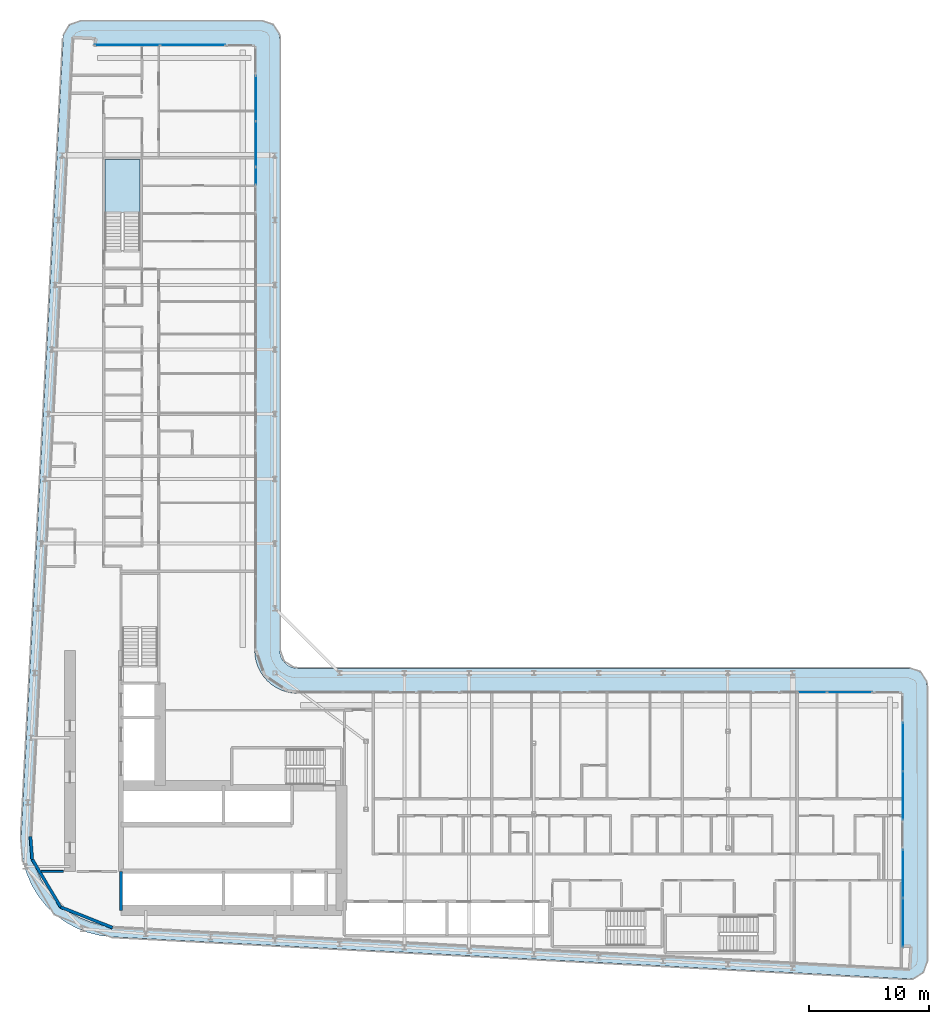
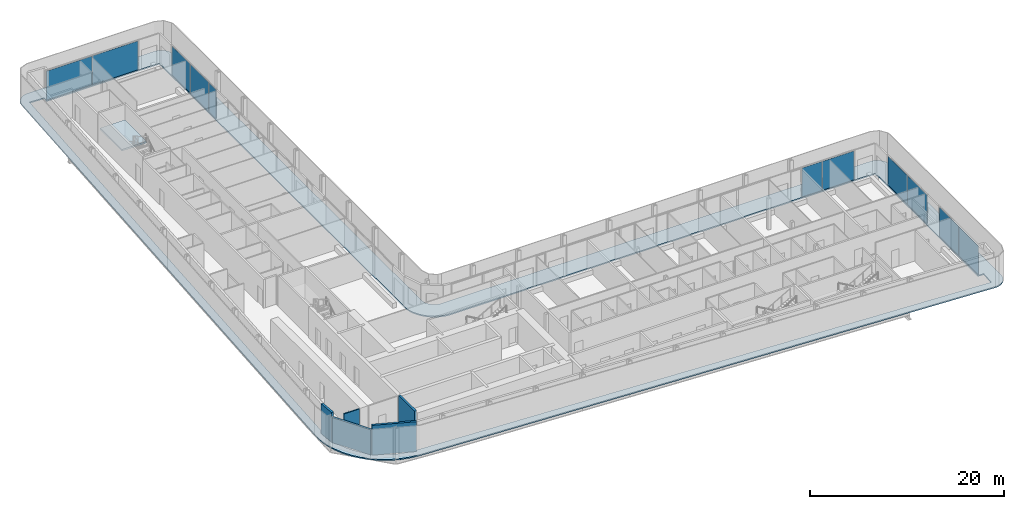
# One storey, part 12 of 28: 11 plates, 5 walls, 2 slabs, 7 elements without a shape of their own.
"""IFC4 building model written with IfcOpenShell, lengths in metres."""

from ifc_helpers import new_model, si_unit, direction, frame, frame_2d, origin, origin_2d, place, context, subcontext, project, spatial, polyline, rectangle, outline, extrude, material, layer, layer_set, type_object, element, aggregate, save


model = new_model("IFC4")

# Units and contexts
model_context = context("Model", 3, precision=1e-05, world=origin(), true_north=direction((0.0, 1.0)))
body_context = subcontext(model_context, "Body", "Model", "MODEL_VIEW")
ifc_project = project(units=[si_unit("LENGTHUNIT", "METRE"), si_unit("AREAUNIT", "SQUARE_METRE"), si_unit("VOLUMEUNIT", "CUBIC_METRE"), si_unit("PLANEANGLEUNIT", "RADIAN"), si_unit("MASSUNIT", "GRAM", prefix="KILO")], contexts=[model_context])

# Site, building, storey
site_placement = place(None, origin())
site = spatial("IfcSite", under=ifc_project, at=site_placement, CompositionType="ELEMENT")
building_placement = place(site_placement, origin())
building = spatial("IfcBuilding", under=site, at=building_placement, Name="Kheshtan School and Residences Tower", CompositionType="ELEMENT")
storey_placement = place(building_placement, frame((0.0, 0.0, 133.10009765625)))
storey = spatial("IfcBuildingStorey", under=building, at=storey_placement, Name="L31", CompositionType="ELEMENT", Elevation=133.10009765625)

# Curtain wall, plates
ifc_material_1 = material(Name="Clear low-e glass in thermally broken aluminium frame", Category="aluminium")
ifc_layer_1 = layer(ifc_material_1, 0.199951171875)
ifc_layer_set_1 = layer_set([ifc_layer_1], Name="Curtain wall CW-L")
curtain_wall_type = type_object("IfcCurtainWallType", Name="Curtain wall CW-L", PredefinedType="NOTDEFINED", material=ifc_layer_set_1)
curtain_wall_1_placement = place(storey_placement, origin())
curtain_wall_1 = element("IfcCurtainWall", 1, at=curtain_wall_1_placement, inside=storey, type_object=curtain_wall_type, Name="Curtain wall CWL7", PredefinedType="NOTDEFINED")
ifc_layer_2 = layer(ifc_material_1, 0.031982421875)
ifc_layer_set_2 = layer_set([ifc_layer_2], Name="CW-L glass panel")
plate_type = type_object("IfcPlateType", Name="CW-L glass panel", PredefinedType="CURTAIN_PANEL", material=ifc_layer_set_2)
plate_1_placement = place(storey_placement, frame((35.259033203125, 98.0, 0.0), z_axis=(0.0, 0.0, 1.0), x_axis=(1.0, 0.0, 0.0)))
plate_1 = element("IfcPlate", 2, at=plate_1_placement, type_object=plate_type, Name="CWL7 panel 1.1", PredefinedType="CURTAIN_PANEL", context=body_context, shape_type="SweptSolid", body=[
    extrude(rectangle(XDim=5.4140625, YDim=0.031982421875, at=origin_2d()), origin(), (0.0, 0.0, 1.0), 3.6298828125),
])
plate_2_placement = place(storey_placement, frame((40.73291015625, 98.0, 0.0), z_axis=(0.0, 0.0, 1.0), x_axis=(1.0, 0.0, 0.0)))
plate_2 = element("IfcPlate", 3, at=plate_2_placement, type_object=plate_type, Name="CWL7 panel 2.1", PredefinedType="CURTAIN_PANEL", context=body_context, shape_type="SweptSolid", body=[
    extrude(rectangle(XDim=5.4140625, YDim=0.031982421875, at=origin_2d()), origin(), (0.0, 0.0, 1.0), 3.6298828125),
])
aggregate(curtain_wall_1, [plate_1, plate_2])

curtain_wall_2_placement = place(storey_placement, origin())
curtain_wall_2 = element("IfcCurtainWall", 4, at=curtain_wall_2_placement, inside=storey, type_object=curtain_wall_type, Name="Curtain wall CWL8", PredefinedType="NOTDEFINED")
plate_3_placement = place(storey_placement, frame((46.0, 93.5615234375, 0.0), z_axis=(0.0, 0.0, 1.0), x_axis=(0.0, -1.0, 0.0)))
plate_3 = element("IfcPlate", 5, at=plate_3_placement, type_object=plate_type, Name="CWL8 panel 1.1", PredefinedType="CURTAIN_PANEL", context=body_context, shape_type="SweptSolid", body=[
    extrude(rectangle(XDim=3.757080078125, YDim=0.031982421875, at=origin_2d()), origin(), (0.0, 0.0, 1.0), 3.6298828125),
])
plate_4_placement = place(storey_placement, frame((46.0, 89.744384765625, 0.0), z_axis=(0.0, 0.0, 1.0), x_axis=(0.0, -1.0, 0.0)))
plate_4 = element("IfcPlate", 6, at=plate_4_placement, type_object=plate_type, Name="CWL8 panel 2.1", PredefinedType="CURTAIN_PANEL", context=body_context, shape_type="SweptSolid", body=[
    extrude(rectangle(XDim=3.757080078125, YDim=0.031982421875, at=origin_2d()), origin(), (0.0, 0.0, 1.0), 3.6298828125),
])
aggregate(curtain_wall_2, [plate_3, plate_4])

# Curtain wall, plate
curtain_wall_3_placement = place(storey_placement, origin())
curtain_wall_3 = element("IfcCurtainWall", 7, at=curtain_wall_3_placement, inside=storey, type_object=curtain_wall_type, Name="Curtain wall CWL8a", PredefinedType="NOTDEFINED")
plate_5_placement = place(storey_placement, frame((46.0, 87.0859375, 0.0), z_axis=(0.0, 0.0, 1.0), x_axis=(0.0, -1.0, 0.0)))
plate_5 = element("IfcPlate", 8, at=plate_5_placement, type_object=plate_type, Name="CWL8a panel 1.1", PredefinedType="CURTAIN_PANEL", context=body_context, shape_type="SweptSolid", body=[
    extrude(rectangle(XDim=1.43994140625, YDim=0.031982421875, at=origin_2d()), origin(), (0.0, 0.0, 1.0), 3.6298828125),
])
aggregate(curtain_wall_3, [plate_5])

# Curtain wall, plates
curtain_wall_4_placement = place(storey_placement, origin())
curtain_wall_4 = element("IfcCurtainWall", 9, at=curtain_wall_4_placement, inside=storey, type_object=curtain_wall_type, Name="Curtain wall CWL12k", PredefinedType="NOTDEFINED")
plate_6_placement = place(storey_placement, frame((92.426513671875, 44.0, 0.0), z_axis=(0.0, 0.0, 1.0), x_axis=(1.0, 0.0, 0.0)))
plate_6 = element("IfcPlate", 10, at=plate_6_placement, type_object=plate_type, Name="CWL12k panel 2.1", PredefinedType="CURTAIN_PANEL", context=body_context, shape_type="SweptSolid", body=[
    extrude(rectangle(XDim=2.39306640625, YDim=0.031982421875, at=origin_2d()), origin(), (0.0, 0.0, 1.0), 3.6298828125),
])
plate_7_placement = place(storey_placement, frame((95.5615234375, 44.0, 0.0), z_axis=(0.0, 0.0, 1.0), x_axis=(1.0, 0.0, 0.0)))
plate_7 = element("IfcPlate", 11, at=plate_7_placement, type_object=plate_type, Name="CWL12k panel 3.1", PredefinedType="CURTAIN_PANEL", context=body_context, shape_type="SweptSolid", body=[
    extrude(rectangle(XDim=3.757080078125, YDim=0.031982421875, at=origin_2d()), origin(), (0.0, 0.0, 1.0), 3.6298828125),
])
aggregate(curtain_wall_4, [plate_6, plate_7])

curtain_wall_5_placement = place(storey_placement, origin())
curtain_wall_5 = element("IfcCurtainWall", 12, at=curtain_wall_5_placement, inside=storey, type_object=curtain_wall_type, Name="Curtain wall CWL13b", PredefinedType="NOTDEFINED")
plate_8_placement = place(storey_placement, frame((100.0, 39.436767578125, 0.0), z_axis=(0.0, 0.0, 1.0), x_axis=(0.0, -1.0, 0.0)))
plate_8 = element("IfcPlate", 13, at=plate_8_placement, type_object=plate_type, Name="CWL13b panel 1.1", PredefinedType="CURTAIN_PANEL", context=body_context, shape_type="SweptSolid", body=[
    extrude(rectangle(XDim=4.006591796875, YDim=0.031982421875, at=origin_2d()), origin(), (0.0, 0.0, 1.0), 3.6298828125),
])
plate_9_placement = place(storey_placement, frame((100.0, 35.370361328125, 0.0), z_axis=(0.0, 0.0, 1.0), x_axis=(0.0, -1.0, 0.0)))
plate_9 = element("IfcPlate", 14, at=plate_9_placement, type_object=plate_type, Name="CWL13b panel 2.1", PredefinedType="CURTAIN_PANEL", context=body_context, shape_type="SweptSolid", body=[
    extrude(rectangle(XDim=4.006591796875, YDim=0.031982421875, at=origin_2d()), origin(), (0.0, 0.0, 1.0), 3.6298828125),
])
aggregate(curtain_wall_5, [plate_8, plate_9])

curtain_wall_6_placement = place(storey_placement, origin())
curtain_wall_6 = element("IfcCurtainWall", 15, at=curtain_wall_6_placement, inside=storey, type_object=curtain_wall_type, Name="Curtain wall CWL13b", PredefinedType="NOTDEFINED")
plate_10_placement = place(storey_placement, frame((100.0, 28.84375, 0.0), z_axis=(0.0, 0.0, 1.0), x_axis=(0.0, -1.0, 0.0)))
plate_10 = element("IfcPlate", 16, at=plate_10_placement, type_object=plate_type, Name="CWL13b panel 1.1", PredefinedType="CURTAIN_PANEL", context=body_context, shape_type="SweptSolid", body=[
    extrude(rectangle(XDim=4.006591796875, YDim=0.031982421875, at=origin_2d()), origin(), (0.0, 0.0, 1.0), 3.6298828125),
])
plate_11_placement = place(storey_placement, frame((100.0, 24.77734375, 0.0), z_axis=(0.0, 0.0, 1.0), x_axis=(0.0, -1.0, 0.0)))
plate_11 = element("IfcPlate", 17, at=plate_11_placement, type_object=plate_type, Name="CWL13b panel 2.1", PredefinedType="CURTAIN_PANEL", context=body_context, shape_type="SweptSolid", body=[
    extrude(rectangle(XDim=4.006591796875, YDim=0.031982421875, at=origin_2d()), origin(), (0.0, 0.0, 1.0), 3.6298828125),
])
aggregate(curtain_wall_6, [plate_10, plate_11])

# Slab
ifc_material_2 = material(Name="Concrete C40/50", Category="concrete")
ifc_layer_3 = layer(ifc_material_2, 0.14990234375)
ifc_layer_set_3 = layer_set([ifc_layer_3], Name="Loggia balcony slab 150 Concrete C40/50")
slab_type_1 = type_object("IfcSlabType", Name="Loggia balcony slab 150 Concrete C40/50", PredefinedType="FLOOR", material=ifc_layer_set_3)
slab_1_placement = place(storey_placement, frame((0.0, 0.0, -0.150146484375)))
element("IfcSlab", 18, at=slab_1_placement, inside=storey, type_object=slab_type_1, Name="Loggia balcony slab L31", PredefinedType="FLOOR", context=body_context, shape_type="SweptSolid", body=[
    extrude(outline(polyline([(28.4580078125, 26.222900390625), (28.45703125, 26.222900390625), (28.45703125, 26.22412109375), (28.4560546875, 26.22412109375), (27.81494140625, 27.0390625), (27.281005859375, 27.93798828125), (26.867919921875, 28.89990234375), (26.583984375, 29.89990234375), (26.583984375, 29.906982421875), (26.43408203125, 30.943115234375), (26.419921875, 31.989013671875), (29.925048828125, 98.5791015625), (29.930908203125, 98.626953125), (29.930908203125, 98.6279296875), (29.929931640625, 98.6279296875), (29.929931640625, 98.62890625), (29.928955078125, 98.62890625), (29.928955078125, 98.6298828125), (29.927978515625, 98.6298828125), (29.927978515625, 98.631103515625), (29.927001953125, 98.631103515625), (29.927001953125, 98.632080078125), (29.927001953125, 98.633056640625), (29.945068359375, 98.781005859375), (29.945068359375, 98.783935546875), (29.945068359375, 98.784912109375), (29.946044921875, 98.784912109375), (29.946044921875, 98.785888671875), (29.947021484375, 98.785888671875), (29.947021484375, 98.787109375), (29.947998046875, 98.787109375), (29.948974609375, 98.787109375), (29.948974609375, 98.7880859375), (29.949951171875, 98.7880859375), (29.949951171875, 98.7890625), (29.949951171875, 98.791015625), (30.0029296875, 98.98388671875), (30.083984375, 99.175048828125), (30.18896484375, 99.35302734375), (30.31103515625, 99.507080078125), (30.31201171875, 99.507080078125), (30.31201171875, 99.508056640625), (30.31298828125, 99.508056640625), (30.31298828125, 99.509033203125), (30.31396484375, 99.509033203125), (30.31396484375, 99.510009765625), (30.31494140625, 99.510009765625), (30.31494140625, 99.510986328125), (30.31591796875, 99.510986328125), (30.31591796875, 99.511962890625), (30.31689453125, 99.511962890625), (30.31689453125, 99.512939453125), (30.318115234375, 99.512939453125), (30.320068359375, 99.512939453125), (30.321044921875, 99.512939453125), (30.321044921875, 99.513916015625), (30.468017578125, 99.656982421875), (30.468994140625, 99.656982421875), (30.468994140625, 99.657958984375), (30.469970703125, 99.657958984375), (30.469970703125, 99.658935546875), (30.470947265625, 99.658935546875), (30.470947265625, 99.659912109375), (30.471923828125, 99.659912109375), (30.471923828125, 99.660888671875), (30.472900390625, 99.660888671875), (30.472900390625, 99.662109375), (30.47412109375, 99.662109375), (30.47412109375, 99.6630859375), (30.47509765625, 99.6630859375), (30.47509765625, 99.6640625), (30.635986328125, 99.777099609375), (30.820068359375, 99.873046875), (31.007080078125, 99.943115234375), (31.013916015625, 99.943115234375), (31.217041015625, 99.986083984375), (31.423095703125, 100.0), (46.5, 100.0), (46.696044921875, 99.987060546875), (46.887939453125, 99.948974609375), (46.89501953125, 99.948974609375), (47.073974609375, 99.885986328125), (47.243896484375, 99.801025390625), (47.2451171875, 99.801025390625), (47.2470703125, 99.801025390625), (47.248046875, 99.801025390625), (47.248046875, 99.802001953125), (47.2490234375, 99.802001953125), (47.2490234375, 99.802978515625), (47.25, 99.802978515625), (47.2529296875, 99.802978515625), (47.25390625, 99.802978515625), (47.25390625, 99.802001953125), (47.2548828125, 99.802001953125), (47.2548828125, 99.801025390625), (47.256103515625, 99.801025390625), (47.256103515625, 99.800048828125), (47.257080078125, 99.800048828125), (47.257080078125, 99.799072265625), (47.258056640625, 99.799072265625), (47.258056640625, 99.798095703125), (47.412109375, 99.696044921875), (47.4130859375, 99.696044921875), (47.4130859375, 99.695068359375), (47.4140625, 99.695068359375), (47.4140625, 99.694091796875), (47.4140625, 99.68994140625), (47.4140625, 99.68896484375), (47.4150390625, 99.68896484375), (47.4150390625, 99.68798828125), (47.416015625, 99.68798828125), (47.416015625, 99.68701171875), (47.4169921875, 99.68701171875), (47.4169921875, 99.68603515625), (47.554931640625, 99.568115234375), (47.554931640625, 99.56689453125), (47.555908203125, 99.56689453125), (47.555908203125, 99.56591796875), (47.556884765625, 99.56591796875), (47.556884765625, 99.56494140625), (47.55810546875, 99.56494140625), (47.55810546875, 99.56396484375), (47.55908203125, 99.56396484375), (47.55908203125, 99.56298828125), (47.56005859375, 99.56298828125), (47.56005859375, 99.56201171875), (47.56103515625, 99.56201171875), (47.56201171875, 99.56103515625), (47.56201171875, 99.56005859375), (47.56298828125, 99.56005859375), (47.56298828125, 99.55908203125), (47.56396484375, 99.55908203125), (47.56396484375, 99.55810546875), (47.56494140625, 99.55810546875), (47.56494140625, 99.556884765625), (47.56591796875, 99.556884765625), (47.56591796875, 99.555908203125), (47.56689453125, 99.555908203125), (47.56689453125, 99.554931640625), (47.568115234375, 99.554931640625), (47.68505859375, 99.41796875), (47.68603515625, 99.41796875), (47.68603515625, 99.4169921875), (47.68701171875, 99.4169921875), (47.68701171875, 99.416015625), (47.68798828125, 99.416015625), (47.68798828125, 99.4150390625), (47.68896484375, 99.4150390625), (47.68896484375, 99.4140625), (47.68994140625, 99.4140625), (47.694091796875, 99.4140625), (47.695068359375, 99.4140625), (47.695068359375, 99.4130859375), (47.696044921875, 99.4130859375), (47.696044921875, 99.412109375), (47.797119140625, 99.259033203125), (47.798095703125, 99.259033203125), (47.798095703125, 99.258056640625), (47.799072265625, 99.258056640625), (47.799072265625, 99.257080078125), (47.800048828125, 99.257080078125), (47.800048828125, 99.256103515625), (47.801025390625, 99.256103515625), (47.801025390625, 99.2548828125), (47.802001953125, 99.2548828125), (47.802001953125, 99.25390625), (47.802978515625, 99.25390625), (47.802978515625, 99.2529296875), (47.802978515625, 99.25), (47.802978515625, 99.2490234375), (47.802001953125, 99.2490234375), (47.802001953125, 99.248046875), (47.801025390625, 99.248046875), (47.801025390625, 99.2470703125), (47.801025390625, 99.243896484375), (47.801025390625, 99.242919921875), (47.885986328125, 99.073974609375), (47.948974609375, 98.89501953125), (47.948974609375, 98.887939453125), (47.987060546875, 98.696044921875), (48.0, 98.5), (48.0, 47.5), (48.012939453125, 47.303955078125), (48.051025390625, 47.113037109375), (48.051025390625, 47.10693359375), (48.051025390625, 47.10595703125), (48.114013671875, 46.926025390625), (48.200927734375, 46.75), (48.31005859375, 46.5869140625), (48.431884765625, 46.444091796875), (48.43310546875, 46.444091796875), (48.43310546875, 46.443115234375), (48.43408203125, 46.443115234375), (48.43408203125, 46.44189453125), (48.43505859375, 46.44189453125), (48.43505859375, 46.44091796875), (48.43603515625, 46.44091796875), (48.43603515625, 46.43994140625), (48.43701171875, 46.43994140625), (48.43701171875, 46.43896484375), (48.43798828125, 46.43896484375), (48.43896484375, 46.43798828125), (48.43896484375, 46.43701171875), (48.43994140625, 46.43701171875), (48.43994140625, 46.43603515625), (48.44091796875, 46.43603515625), (48.44091796875, 46.43505859375), (48.44189453125, 46.43505859375), (48.44189453125, 46.43408203125), (48.443115234375, 46.43408203125), (48.443115234375, 46.43310546875), (48.444091796875, 46.43310546875), (48.444091796875, 46.431884765625), (48.5869140625, 46.31005859375), (48.75, 46.200927734375), (48.926025390625, 46.114013671875), (49.10595703125, 46.051025390625), (49.10693359375, 46.051025390625), (49.113037109375, 46.051025390625), (49.303955078125, 46.012939453125), (49.5, 46.0), (100.5, 46.0), (100.696044921875, 45.987060546875), (100.887939453125, 45.948974609375), (100.89501953125, 45.948974609375), (101.073974609375, 45.885986328125), (101.241943359375, 45.801025390625), (101.242919921875, 45.801025390625), (101.2470703125, 45.801025390625), (101.248046875, 45.801025390625), (101.248046875, 45.802001953125), (101.2490234375, 45.802001953125), (101.2490234375, 45.802978515625), (101.25, 45.802978515625), (101.2529296875, 45.802978515625), (101.25390625, 45.802978515625), (101.25390625, 45.802001953125), (101.2548828125, 45.802001953125), (101.2548828125, 45.801025390625), (101.256103515625, 45.801025390625), (101.256103515625, 45.800048828125), (101.257080078125, 45.800048828125), (101.257080078125, 45.799072265625), (101.258056640625, 45.799072265625), (101.258056640625, 45.798095703125), (101.259033203125, 45.798095703125), (101.259033203125, 45.797119140625), (101.260009765625, 45.797119140625), (101.260009765625, 45.7958984375), (101.412109375, 45.696044921875), (101.4130859375, 45.696044921875), (101.4130859375, 45.695068359375), (101.4140625, 45.695068359375), (101.4140625, 45.694091796875), (101.4140625, 45.68994140625), (101.4140625, 45.68896484375), (101.4150390625, 45.68896484375), (101.4150390625, 45.68798828125), (101.416015625, 45.68798828125), (101.416015625, 45.68701171875), (101.4169921875, 45.68701171875), (101.4169921875, 45.68603515625), (101.41796875, 45.68603515625), (101.41796875, 45.68505859375), (101.4189453125, 45.68505859375), (101.4189453125, 45.68408203125), (101.554931640625, 45.568115234375), (101.554931640625, 45.56689453125), (101.555908203125, 45.56689453125), (101.555908203125, 45.56591796875), (101.556884765625, 45.56591796875), (101.556884765625, 45.56494140625), (101.55810546875, 45.56494140625), (101.55810546875, 45.56396484375), (101.55908203125, 45.56396484375), (101.55908203125, 45.56298828125), (101.56005859375, 45.56298828125), (101.56005859375, 45.56201171875), (101.56103515625, 45.56201171875), (101.56201171875, 45.56103515625), (101.56201171875, 45.56005859375), (101.56298828125, 45.56005859375), (101.56298828125, 45.55908203125), (101.56396484375, 45.55908203125), (101.56396484375, 45.55810546875), (101.56494140625, 45.55810546875), (101.56494140625, 45.556884765625), (101.56591796875, 45.556884765625), (101.56591796875, 45.555908203125), (101.56689453125, 45.555908203125), (101.56689453125, 45.554931640625), (101.568115234375, 45.554931640625), (101.681884765625, 45.4208984375), (101.68310546875, 45.4208984375), (101.68310546875, 45.419921875), (101.68408203125, 45.419921875), (101.68408203125, 45.4189453125), (101.68505859375, 45.4189453125), (101.68505859375, 45.41796875), (101.68603515625, 45.41796875), (101.68603515625, 45.4169921875), (101.68701171875, 45.4169921875), (101.68701171875, 45.416015625), (101.68798828125, 45.416015625), (101.68798828125, 45.4150390625), (101.68896484375, 45.4150390625), (101.68896484375, 45.4140625), (101.68994140625, 45.4140625), (101.694091796875, 45.4140625), (101.695068359375, 45.4140625), (101.695068359375, 45.4130859375), (101.696044921875, 45.4130859375), (101.696044921875, 45.412109375), (101.7939453125, 45.261962890625), (101.794921875, 45.261962890625), (101.794921875, 45.260986328125), (101.7958984375, 45.260986328125), (101.7958984375, 45.260009765625), (101.797119140625, 45.260009765625), (101.797119140625, 45.259033203125), (101.798095703125, 45.259033203125), (101.798095703125, 45.258056640625), (101.799072265625, 45.258056640625), (101.799072265625, 45.257080078125), (101.800048828125, 45.257080078125), (101.800048828125, 45.256103515625), (101.801025390625, 45.256103515625), (101.801025390625, 45.2548828125), (101.802001953125, 45.2548828125), (101.802001953125, 45.25390625), (101.802978515625, 45.25390625), (101.802978515625, 45.2529296875), (101.802978515625, 45.25), (101.802978515625, 45.2490234375), (101.802001953125, 45.2490234375), (101.802001953125, 45.248046875), (101.801025390625, 45.248046875), (101.801025390625, 45.2470703125), (101.801025390625, 45.240966796875), (101.801025390625, 45.239990234375), (101.885986328125, 45.073974609375), (101.948974609375, 44.89501953125), (101.948974609375, 44.887939453125), (101.987060546875, 44.696044921875), (102.0, 44.5), (102.0, 21.5810546875), (101.986083984375, 21.37890625), (101.945068359375, 21.179931640625), (101.945068359375, 21.173095703125), (101.8779296875, 20.989013671875), (101.785888671875, 20.80810546875), (101.6708984375, 20.64306640625), (101.6708984375, 20.64208984375), (101.6708984375, 20.64111328125), (101.6708984375, 20.639892578125), (101.672119140625, 20.639892578125), (101.672119140625, 20.638916015625), (101.672119140625, 20.636962890625), (101.672119140625, 20.635986328125), (101.6708984375, 20.635986328125), (101.6708984375, 20.635009765625), (101.5380859375, 20.491943359375), (101.534912109375, 20.489013671875), (101.533935546875, 20.489013671875), (101.533935546875, 20.488037109375), (101.532958984375, 20.488037109375), (101.531005859375, 20.488037109375), (101.530029296875, 20.488037109375), (101.530029296875, 20.489013671875), (101.529052734375, 20.489013671875), (101.528076171875, 20.489013671875), (101.527099609375, 20.489013671875), (101.3759765625, 20.364013671875), (101.2041015625, 20.256103515625), (101.01904296875, 20.174072265625), (100.8310546875, 20.116943359375), (100.823974609375, 20.116943359375), (100.6240234375, 20.0859375), (100.4208984375, 20.0830078125), (33.989013671875, 23.580078125), (33.94189453125, 23.5859375), (33.94091796875, 23.5859375), (33.93994140625, 23.5859375), (33.93994140625, 23.5849609375), (33.93896484375, 23.5849609375), (33.93896484375, 23.583984375), (33.93798828125, 23.583984375), (33.93798828125, 23.5830078125), (33.93701171875, 23.5830078125), (33.93701171875, 23.58203125), (33.93603515625, 23.58203125), (33.93505859375, 23.58203125), (32.952880859375, 23.697998046875), (32.949951171875, 23.697998046875), (32.948974609375, 23.697998046875), (32.948974609375, 23.698974609375), (32.947998046875, 23.698974609375), (32.947998046875, 23.699951171875), (32.947021484375, 23.699951171875), (32.947021484375, 23.700927734375), (32.947021484375, 23.702880859375), (32.947021484375, 23.7041015625), (32.946044921875, 23.7041015625), (32.946044921875, 23.705078125), (32.945068359375, 23.705078125), (32.944091796875, 23.705078125), (31.93603515625, 23.9609375), (31.928955078125, 23.9609375), (30.964111328125, 24.34912109375), (30.051025390625, 24.860107421875), (29.218994140625, 25.47900390625), (29.218994140625, 25.47998046875), (29.218017578125, 25.47998046875), (29.218017578125, 25.48095703125), (29.217041015625, 25.48095703125), (29.217041015625, 25.48193359375), (29.216064453125, 25.48193359375), (29.216064453125, 25.48291015625), (29.215087890625, 25.48291015625), (29.215087890625, 25.48388671875), (29.214111328125, 25.48388671875), (29.214111328125, 25.485107421875), (29.212890625, 25.485107421875), (29.212890625, 25.486083984375), (29.2119140625, 25.486083984375), (28.466064453125, 26.217041015625), (28.466064453125, 26.218017578125), (28.465087890625, 26.218017578125), (28.462890625, 26.218017578125), (28.4619140625, 26.218017578125), (28.4619140625, 26.218994140625), (28.4609375, 26.218994140625), (28.4609375, 26.219970703125), (28.4599609375, 26.219970703125), (28.4599609375, 26.220947265625), (28.458984375, 26.220947265625), (28.458984375, 26.221923828125), (28.4580078125, 26.221923828125), (28.4580078125, 26.222900390625)]), holes=[polyline([(29.12890625, 26.824951171875), (29.12890625, 26.823974609375), (29.1298828125, 26.823974609375), (29.1298828125, 26.822998046875), (29.131103515625, 26.822998046875), (29.131103515625, 26.822021484375), (29.132080078125, 26.822021484375), (29.132080078125, 26.821044921875), (29.133056640625, 26.821044921875), (29.133056640625, 26.820068359375), (29.134033203125, 26.820068359375), (29.7958984375, 26.173095703125), (29.7958984375, 26.172119140625), (29.797119140625, 26.172119140625), (29.798095703125, 26.172119140625), (29.799072265625, 26.172119140625), (29.799072265625, 26.1708984375), (29.800048828125, 26.1708984375), (29.800048828125, 26.169921875), (29.801025390625, 26.169921875), (29.801025390625, 26.1689453125), (29.802001953125, 26.1689453125), (29.802001953125, 26.16796875), (29.802978515625, 26.16796875), (29.802978515625, 26.1669921875), (29.803955078125, 26.1669921875), (29.803955078125, 26.166015625), (30.541015625, 25.616943359375), (31.35205078125, 25.1630859375), (32.208984375, 24.819091796875), (32.2099609375, 24.819091796875), (32.216064453125, 24.819091796875), (33.114990234375, 24.590087890625), (34.06591796875, 24.47705078125), (100.43798828125, 20.98291015625), (100.465087890625, 20.98388671875), (100.466064453125, 20.98388671875), (100.467041015625, 20.98388671875), (100.467041015625, 20.985107421875), (100.468017578125, 20.985107421875), (100.468017578125, 20.986083984375), (100.468017578125, 20.987060546875), (100.55810546875, 22.676025390625), (100.55810546875, 22.677001953125), (100.55810546875, 22.677978515625), (100.556884765625, 22.677978515625), (100.556884765625, 22.678955078125), (100.555908203125, 22.678955078125), (100.554931640625, 22.678955078125), (99.90087890625, 22.714111328125), (99.89990234375, 22.714111328125), (99.89990234375, 22.715087890625), (99.89990234375, 43.89794921875), (99.89990234375, 43.89892578125), (99.89892578125, 43.89892578125), (99.89892578125, 43.89990234375), (99.89794921875, 43.89990234375), (49.429931640625, 43.89990234375), (49.030029296875, 43.927001953125), (48.569091796875, 44.01806640625), (48.56201171875, 44.01806640625), (48.1201171875, 44.169921875), (47.697021484375, 44.37890625), (47.30810546875, 44.638916015625), (46.95703125, 44.944091796875), (46.95703125, 44.945068359375), (46.9560546875, 44.945068359375), (46.9560546875, 44.946044921875), (46.955078125, 44.946044921875), (46.955078125, 44.947021484375), (46.9541015625, 44.947021484375), (46.9541015625, 44.947998046875), (46.952880859375, 44.947998046875), (46.952880859375, 44.948974609375), (46.951904296875, 44.948974609375), (46.951904296875, 44.949951171875), (46.951904296875, 44.950927734375), (46.950927734375, 44.950927734375), (46.950927734375, 44.951904296875), (46.949951171875, 44.951904296875), (46.948974609375, 44.951904296875), (46.948974609375, 44.952880859375), (46.947998046875, 44.952880859375), (46.947998046875, 44.9541015625), (46.947021484375, 44.9541015625), (46.947021484375, 44.955078125), (46.946044921875, 44.955078125), (46.946044921875, 44.9560546875), (46.945068359375, 44.9560546875), (46.945068359375, 44.95703125), (46.944091796875, 44.95703125), (46.638916015625, 45.30810546875), (46.37890625, 45.697021484375), (46.169921875, 46.1201171875), (46.01806640625, 46.56201171875), (46.01806640625, 46.569091796875), (45.927001953125, 47.030029296875), (45.89990234375, 47.429931640625), (45.89990234375, 97.89794921875), (45.89990234375, 97.89892578125), (45.89892578125, 97.89892578125), (45.89892578125, 97.89990234375), (45.89794921875, 97.89990234375), (32.492919921875, 97.89990234375), (32.491943359375, 97.89990234375), (32.52099609375, 98.43896484375), (32.52099609375, 98.43994140625), (32.52099609375, 98.44091796875), (32.52001953125, 98.44091796875), (32.52001953125, 98.44189453125), (32.51904296875, 98.44189453125), (32.51806640625, 98.44189453125), (30.8291015625, 98.531982421875), (30.827880859375, 98.531982421875), (30.826904296875, 98.531982421875), (30.826904296875, 98.531005859375), (30.825927734375, 98.531005859375), (30.825927734375, 98.530029296875), (30.825927734375, 98.529052734375), (30.822021484375, 98.5009765625), (27.320068359375, 31.970947265625), (27.3330078125, 31.013916015625), (27.466064453125, 30.093994140625), (27.466064453125, 30.087890625), (27.466064453125, 30.0869140625), (27.718017578125, 29.200927734375), (28.0849609375, 28.345947265625), (28.55908203125, 27.550048828125), (29.126953125, 26.825927734375), (29.1279296875, 26.825927734375), (29.1279296875, 26.824951171875), (29.12890625, 26.824951171875)])]), origin(), (0.0, 0.0, 1.0), 0.150146484375),
])

# Stair, slab
stair_type = type_object("IfcStairType", Name="Exit stair, half-turn", PredefinedType="HALF_TURN_STAIR", material=ifc_material_2)
stair_placement = place(storey_placement, origin())
stair = element("IfcStair", 19, at=stair_placement, inside=storey, type_object=stair_type, Name="L31 Protected Exit Stair ST3", PredefinedType="HALF_TURN_STAIR")
ifc_layer_4 = layer(ifc_material_2, 0.199951171875)
ifc_layer_set_4 = layer_set([ifc_layer_4], Name="Stair landing 200 Concrete C40/50")
slab_type_2 = type_object("IfcSlabType", Name="Stair landing 200 Concrete C40/50", PredefinedType="LANDING", material=ifc_layer_set_4)
slab_2_placement = place(storey_placement, frame((0.0, 0.0, 1.75)))
slab_2 = element("IfcSlab", 20, at=slab_2_placement, type_object=slab_type_2, Name="ST3 landing 1", PredefinedType="LANDING", context=body_context, shape_type="SweptSolid", body=[
    extrude(outline(polyline([(36.35009765625, 83.97998046875), (36.35009765625, 88.4599609375), (33.39990234375, 88.4599609375), (33.39990234375, 83.97998046875), (36.35009765625, 83.97998046875)])), origin(), (0.0, 0.0, 1.0), 0.199951171875),
])
aggregate(stair, [slab_2])

# Walls
ifc_material_3 = material(Name="Concrete C40/50 with ceramic cladding and mineral wool insulation", Category="concrete")
ifc_layer_5 = layer(ifc_material_3, 0.25)
ifc_layer_set_5 = layer_set([ifc_layer_5], Name="External wall 250 ceramic clad")
wall_type_1 = type_object("IfcWallType", Name="External wall 250 ceramic clad", PredefinedType="SOLIDWALL", material=ifc_layer_set_5)
wall_1_placement = place(storey_placement, frame((34.0390625, 24.35302734375, 0.0), z_axis=(0.0, 0.0, 1.0), x_axis=(-0.929352825399, 0.369192803184, 0.0)))
element("IfcWall", 21, at=wall_1_placement, inside=storey, type_object=wall_type_1, Name="External wall L31 1", PredefinedType="SOLIDWALL", context=body_context, shape_type="SweptSolid", body=[
    extrude(rectangle(XDim=4.656005859375, YDim=0.25, at=frame_2d((2.328125, 0.0))), origin(), (0.0, 0.0, 1.0), 3.75),
])
wall_2_placement = place(storey_placement, frame((29.7119140625, 26.072021484375, 0.0), z_axis=(0.0, 0.0, 1.0), x_axis=(-0.511028049012, 0.859564036662, 0.0)))
element("IfcWall", 22, at=wall_2_placement, inside=storey, type_object=wall_type_1, Name="External wall L31 2", PredefinedType="SOLIDWALL", context=body_context, shape_type="SweptSolid", body=[
    extrude(rectangle(XDim=4.633544921875, YDim=0.25, at=frame_2d((2.31689453125, 0.0))), origin(), (0.0, 0.0, 1.0), 3.14697265625),
])
wall_3_placement = place(storey_placement, frame((27.343994140625, 30.054931640625, 0.0), z_axis=(0.0, 0.0, 1.0), x_axis=(-0.077571675317, 0.99698677784, 0.0)))
element("IfcWall", 23, at=wall_3_placement, inside=storey, type_object=wall_type_1, Name="External wall L31 3", PredefinedType="SOLIDWALL", context=body_context, shape_type="SweptSolid", body=[
    extrude(rectangle(XDim=1.919921875, YDim=0.25, at=frame_2d((0.9599609375, 0.0))), origin(), (0.0, 0.0, 1.0), 3.75),
])
ifc_material_4 = material(Name="Fire-board shaft wall system")
ifc_layer_6 = layer(ifc_material_4, 0.14990234375)
ifc_layer_set_6 = layer_set([ifc_layer_6], Name="Service room wall 150")
wall_type_2 = type_object("IfcWallType", Name="Service room wall 150", PredefinedType="PARTITIONING", material=ifc_layer_set_6)
wall_4_placement = place(storey_placement, frame((28.089111328125, 29.050048828125, 0.0), z_axis=(0.0, 0.0, 1.0), x_axis=(1.0, 0.0, 0.0)))
element("IfcWall", 24, at=wall_4_placement, inside=storey, type_object=wall_type_2, Name="Service room wall", PredefinedType="PARTITIONING", context=body_context, shape_type="SweptSolid", body=[
    extrude(rectangle(XDim=1.8408203125, YDim=0.14990234375, at=frame_2d((0.92041015625, 0.0))), origin(), (0.0, 0.0, 1.0), 3.89990234375),
])
ifc_layer_7 = layer(ifc_material_4, 0.25)
ifc_layer_set_7 = layer_set([ifc_layer_7], Name="Shaft lining wall 250")
wall_type_3 = type_object("IfcWallType", Name="Shaft lining wall 250", PredefinedType="PARTITIONING", material=ifc_layer_set_7)
wall_5_placement = place(storey_placement, frame((34.75, 25.800048828125, 0.0), z_axis=(0.0, 0.0, 1.0), x_axis=(0.0, 1.0, 0.0)))
element("IfcWall", 25, at=wall_5_placement, inside=storey, type_object=wall_type_3, Name="Shaft lining wall", PredefinedType="PARTITIONING", context=body_context, shape_type="SweptSolid", body=[
    extrude(rectangle(XDim=3.25, YDim=0.25, at=frame_2d((1.625, 0.0))), origin(), (0.0, 0.0, 1.0), 3.89990234375),
])

save(model, "model.ifc")
